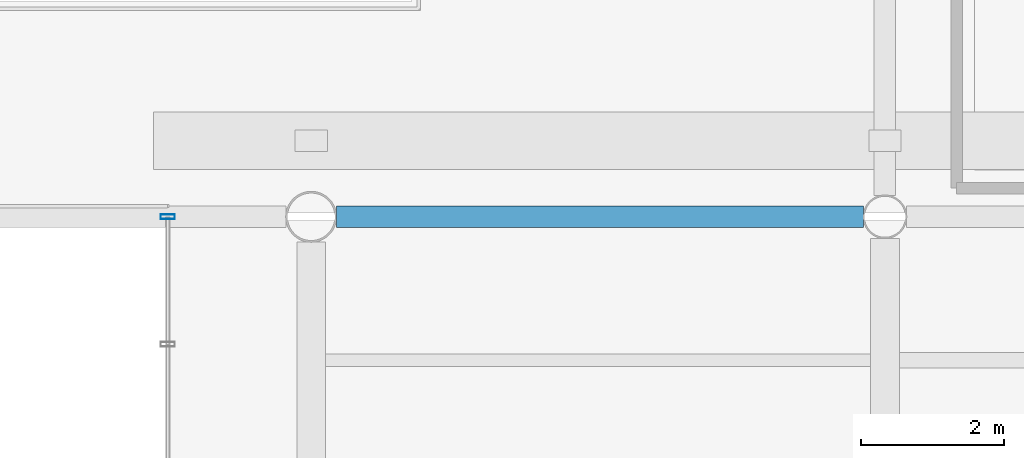
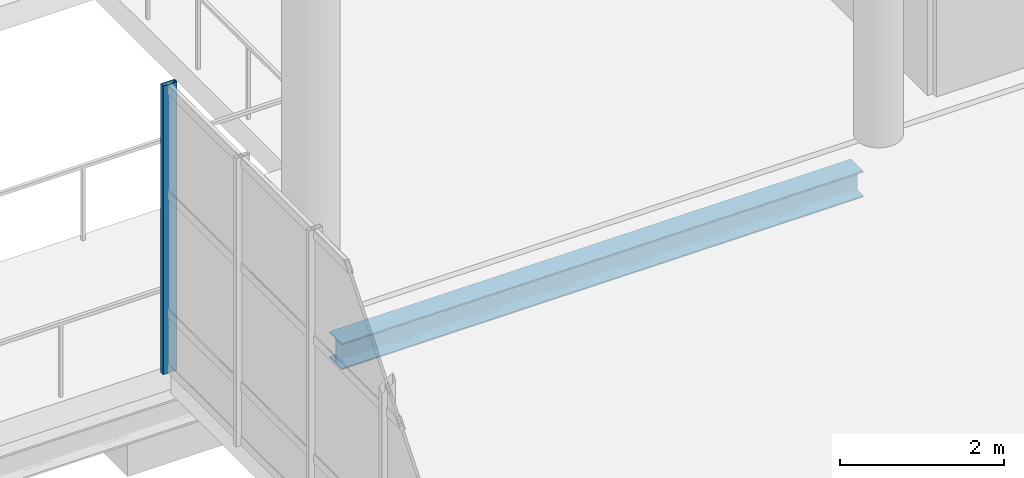
# One storey, part 64 of 176: 1 beam, 1 member, 1 element without a shape of its own.
"""IFC4 building model written with IfcOpenShell, lengths in metres."""

from ifc_helpers import new_model, si_unit, direction, frame, origin, origin_2d, place, context, subcontext, project, spatial, hollow_rectangle, i_section, extrude, material, layer, layer_set, material_profile, profile_set, type_object, element, aggregate, save


model = new_model("IFC4")

# Units and contexts
model_context = context("Model", 3, precision=1e-05, world=origin(), true_north=direction((0.0, 1.0)))
body_context = subcontext(model_context, "Body", "Model", "MODEL_VIEW")
ifc_project = project(units=[si_unit("LENGTHUNIT", "METRE"), si_unit("AREAUNIT", "SQUARE_METRE"), si_unit("VOLUMEUNIT", "CUBIC_METRE"), si_unit("PLANEANGLEUNIT", "RADIAN"), si_unit("MASSUNIT", "GRAM", prefix="KILO")], contexts=[model_context])

# Site, building, storey
site_placement = place(None, origin())
site = spatial("IfcSite", under=ifc_project, at=site_placement, CompositionType="ELEMENT")
building_placement = place(site_placement, origin())
building = spatial("IfcBuilding", under=site, at=building_placement, Name="Khorjan Park Terminus", CompositionType="ELEMENT")
storey_placement = place(building_placement, frame((0.0, 0.0, 6.0)))
storey = spatial("IfcBuildingStorey", under=building, at=storey_placement, Name="L01", CompositionType="ELEMENT", Elevation=6.0)

# Beam
ifc_material_1 = material(Name="Steel S355", Category="steel")
ifc_material_profile_1 = material_profile(ifc_material_1, i_section(OverallWidth=0.3, OverallDepth=0.39, WebThickness=0.011, FlangeThickness=0.019, FilletRadius=0.027, at=origin_2d()), Name="HEA 400")
ifc_profile_set_1 = profile_set([ifc_material_profile_1], Name="Steel S355")
beam_type = type_object("IfcBeamType", Name="BM-HEA400", PredefinedType="BEAM", material=ifc_profile_set_1)
beam_placement = place(storey_placement, frame((112.3505, 102.0, -0.555), z_axis=(1.0, 0.0, 0.0), x_axis=(0.0, 1.0, 0.0)))
element("IfcBeam", 1, at=beam_placement, inside=storey, type_object=beam_type, Name="Primary floor girder SB-A40 (L01)", PredefinedType="BEAM", context=body_context, shape_type="SweptSolid", body=[
    extrude(i_section(OverallWidth=0.3, OverallDepth=0.39, WebThickness=0.011, FlangeThickness=0.019, FilletRadius=0.027, at=origin_2d()), origin(), (0.0, 0.0, 1.0), 7.3495),
])

# Curtain wall, member
ifc_material_2 = material(Name="Anodized Bronze Aluminium", Category="aluminium")
ifc_layer = layer(ifc_material_2, 0.22)
ifc_layer_set = layer_set([ifc_layer], Name="Anodized Bronze Aluminium")
curtain_wall_type = type_object("IfcCurtainWallType", Name="CW-BRG-D", PredefinedType="NOTDEFINED", material=ifc_layer_set)
curtain_wall_placement = place(storey_placement, origin())
curtain_wall = element("IfcCurtainWall", 2, at=curtain_wall_placement, inside=storey, type_object=curtain_wall_type, Name="Unitized curtain wall CW-D (CW-NKE-W-L01)", PredefinedType="NOTDEFINED")
ifc_material_profile_2 = material_profile(ifc_material_2, hollow_rectangle(XDim=0.07, YDim=0.2, WallThickness=0.005, InnerFilletRadius=0.005, OuterFilletRadius=0.01, at=origin_2d()), Name="ALM 70x200x5")
ifc_profile_set_2 = profile_set([ifc_material_profile_2], Name="Anodized Bronze Aluminium")
member_type = type_object("IfcMemberType", Name="ML-ALM-200", PredefinedType="MULLION", material=ifc_profile_set_2)
member_placement = place(storey_placement, frame((110.0, 102.0, -0.035), z_axis=(0.0, 0.0, 1.0), x_axis=(0.0, -1.0, 0.0)))
member = element("IfcMember", 3, at=member_placement, type_object=member_type, Name="Curtain-wall mullion ML-20 (CW-NKE-W-L01-0)", PredefinedType="MULLION", context=body_context, shape_type="SweptSolid", body=[
    extrude(hollow_rectangle(XDim=0.07, YDim=0.2, WallThickness=0.005, InnerFilletRadius=0.005, OuterFilletRadius=0.01, at=origin_2d()), origin(), (0.0, 0.0, 1.0), 4.295),
])
aggregate(curtain_wall, [member])

save(model, "model.ifc")
